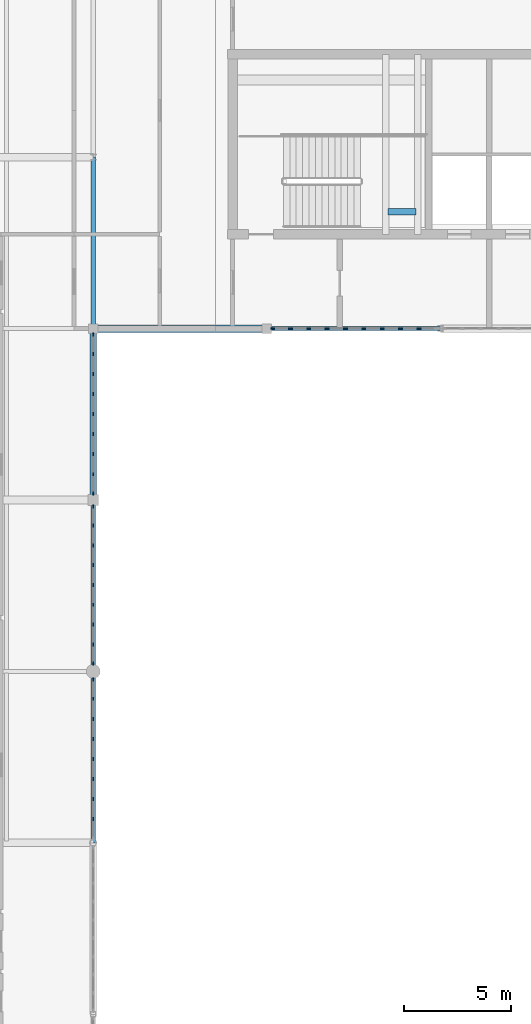
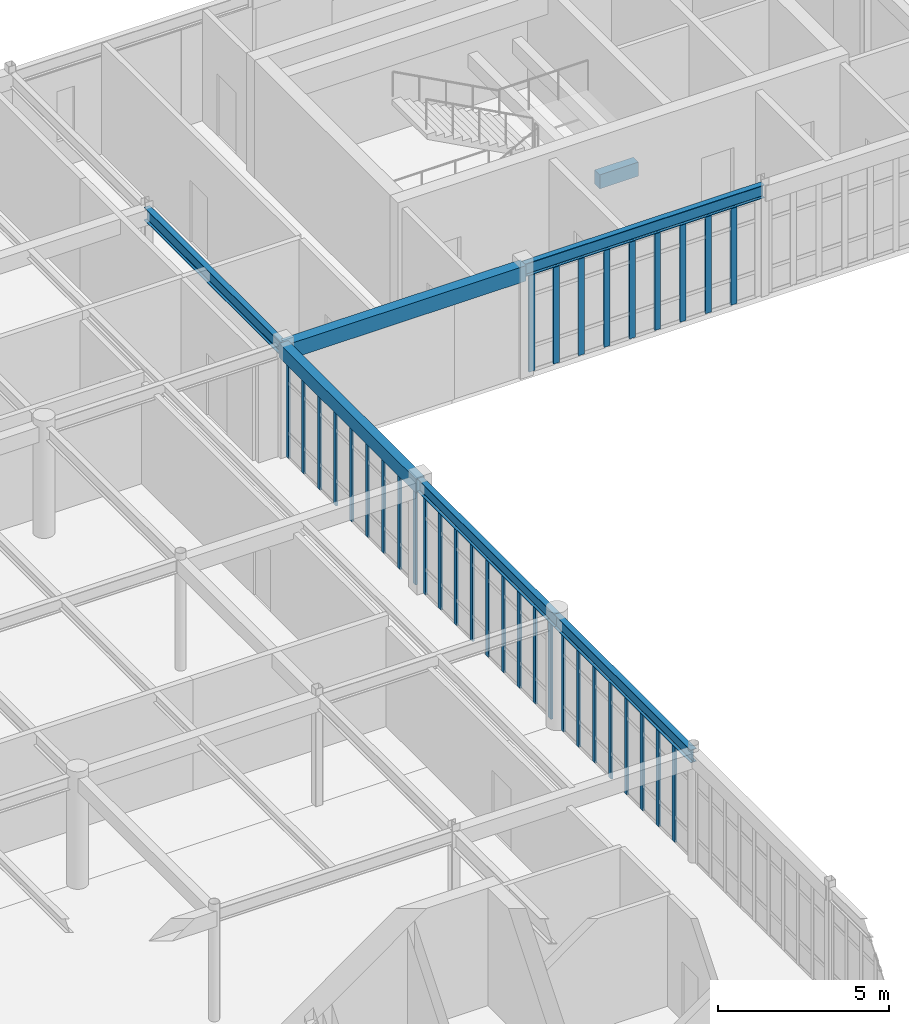
# One storey, part 10 of 36: 35 members, 7 beams, 4 elements without a shape of their own.
"""IFC4 building model written with IfcOpenShell, lengths in metres."""

import ifcopenshell
import ifcopenshell.guid

model = None  # the IFC model being written
_history = None  # IfcOwnerHistory: only IFC2X3 demands one
_inside = {}  # id of a spatial element -> (the spatial element, [elements in it])
_under = {}  # id of a project, library or spatial element -> (it, [spatial elements below it])
_declared = {}  # id of a project -> (the project, [libraries it declares])
_typed = {}  # id of a type object -> (the type object, [elements of that type])
_made_of = {}  # id of a material, layer set ... -> (it, [elements and type objects made of it])


def new_model(schema):
    """Start an empty IFC model of exactly this schema.

    Asked for "IFC4X3", IfcOpenShell would pick the latest addendum, in which some entities
    have other attributes; the version numbers below select the first issue.
    IFC2X3 requires an IfcOwnerHistory on every rooted entity: one is made here for all.
    """
    global model, _history
    if schema == "IFC4X3":
        model = ifcopenshell.file(schema_version=(4, 3, 0, 0))
    else:
        model = ifcopenshell.file(schema=schema)
    _inside.clear()
    _under.clear()
    _declared.clear()
    _typed.clear()
    _made_of.clear()
    _history = None
    if model.schema == "IFC2X3":
        org = make("IfcOrganization", Name="unknown")
        user = make(
            "IfcPersonAndOrganization",
            ThePerson=make("IfcPerson", FamilyName="unknown"),
            TheOrganization=org,
        )
        app = make(
            "IfcApplication",
            ApplicationDeveloper=org,
            Version="unknown",
            ApplicationFullName="unknown",
            ApplicationIdentifier="unknown",
        )
        _history = make(
            "IfcOwnerHistory",
            OwningUser=user,
            OwningApplication=app,
            ChangeAction="ADDED",
            CreationDate=0,
        )
    return model


def make(cls, **values):
    """One entity of the class cls with the attributes given. An attribute that is None is left unset."""
    return model.create_entity(
        cls, **{name: value for name, value in values.items() if value is not None}
    )


def rooted(cls, **values):
    """An entity with a GlobalId (a new one), such as an element, a storey or a relation."""
    return make(cls, GlobalId=ifcopenshell.guid.new(), OwnerHistory=_history, **values)


def si_unit(unit_type, name, prefix=None):
    """IfcSIUnit, for example si_unit("LENGTHUNIT", "METRE", prefix="MILLI")."""
    return make("IfcSIUnit", UnitType=unit_type, Prefix=prefix, Name=name)


def assignment(units):
    """IfcUnitAssignment: the units of a project."""
    return None if units is None else make("IfcUnitAssignment", Units=units)


def point(xyz):
    """IfcCartesianPoint."""
    return None if xyz is None else make("IfcCartesianPoint", Coordinates=xyz)


def direction(xyz):
    """IfcDirection."""
    return None if xyz is None else make("IfcDirection", DirectionRatios=xyz)


def frame(location, z_axis=None, x_axis=None):
    """IfcAxis2Placement3D, a coordinate frame: its origin and axes. An axis left out is left unset."""
    return make(
        "IfcAxis2Placement3D",
        Location=point(location),
        Axis=direction(z_axis),
        RefDirection=direction(x_axis),
    )


def frame_2d(location, x_axis=None):
    """IfcAxis2Placement2D, a coordinate frame in the plane: its origin and x axis."""
    return make(
        "IfcAxis2Placement2D", Location=point(location), RefDirection=direction(x_axis)
    )


def origin():
    """The frame at (0, 0, 0) with its axes left unset."""
    return frame((0.0, 0.0, 0.0))


def origin_2d():
    """The frame at (0, 0) in the plane with its x axis left unset."""
    return frame_2d((0.0, 0.0))


def place(relative_to, where):
    """IfcLocalPlacement: puts the frame where relative to a parent placement (None: the world)."""
    return make(
        "IfcLocalPlacement", PlacementRelTo=relative_to, RelativePlacement=where
    )


def context(
    kind, dimensions, precision=None, world=None, true_north=None, identifier=None
):
    """IfcGeometricRepresentationContext, for example the 3D "Model" context."""
    return make(
        "IfcGeometricRepresentationContext",
        ContextIdentifier=identifier,
        ContextType=kind,
        CoordinateSpaceDimension=dimensions,
        Precision=precision,
        WorldCoordinateSystem=world,
        TrueNorth=true_north,
    )


def subcontext(parent, identifier, kind, view, scale=None):
    """IfcGeometricRepresentationSubContext, for example "Body" below "Model"."""
    return make(
        "IfcGeometricRepresentationSubContext",
        ContextIdentifier=identifier,
        ContextType=kind,
        ParentContext=parent,
        TargetScale=scale,
        TargetView=view,
    )


def project(units=None, contexts=None):
    """IfcProject with its units and contexts."""
    return rooted(
        "IfcProject",
        Name="project",
        RepresentationContexts=contexts,
        UnitsInContext=assignment(units),
    )


def spatial(cls, under=None, at=None, **own):
    """A site, building, storey or space (cls), placed at a placement, below another one or the project."""
    s = rooted(cls, ObjectPlacement=at, **own)
    if under is not None:
        _under.setdefault(under.id(), (under, []))[1].append(s)
    return s


def profile(cls, at=None, kind="AREA", **sizes):
    """A parametric profile (cls). Its sizes go by their IFC names, for example OverallWidth=200.0."""
    return make(cls, ProfileType=kind, Position=at, **sizes)


def rectangle(**sizes):
    """IfcRectangleProfileDef."""
    return profile("IfcRectangleProfileDef", **sizes)


def i_section(**sizes):
    """IfcIShapeProfileDef."""
    return profile("IfcIShapeProfileDef", **sizes)


def extrude(swept, where, along, depth):
    """IfcExtrudedAreaSolid: the profile swept, set in the frame where, extruded along a direction by depth."""
    return make(
        "IfcExtrudedAreaSolid",
        SweptArea=swept,
        Position=where,
        ExtrudedDirection=direction(along),
        Depth=depth,
    )


def shape(context_of_items, identifier, shape_type, items):
    """IfcShapeRepresentation: the items that make up one representation, for example the "Body"."""
    return make(
        "IfcShapeRepresentation",
        ContextOfItems=context_of_items,
        RepresentationIdentifier=identifier,
        RepresentationType=shape_type,
        Items=items,
    )


def material(Name=None, Category=None):
    """IfcMaterial."""
    return make("IfcMaterial", Name=Name, Category=Category)


def material_profile(
    of_material, cross_section, Name=None, Category=None, Priority=None
):
    """IfcMaterialProfile: a cross section and its material."""
    return make(
        "IfcMaterialProfile",
        Name=Name,
        Material=of_material,
        Profile=cross_section,
        Priority=Priority,
        Category=Category,
    )


def profile_set(profiles, Name=None, composite=None):
    """IfcMaterialProfileSet."""
    return make(
        "IfcMaterialProfileSet",
        Name=Name,
        MaterialProfiles=profiles,
        CompositeProfile=composite,
    )


def made_of(thing, what):
    """Note that an element or type object is made of a material, layer set ...; save() writes the relation."""
    if what is not None:
        _made_of.setdefault(what.id(), (what, []))[1].append(thing)
    return thing


def type_object(cls, material=None, **own):
    """A type object (cls), such as IfcWallType, which elements share."""
    return made_of(rooted(cls, **own), material)


def element(
    cls,
    number,
    at=None,
    inside=None,
    cuts=None,
    type_object=None,
    material=None,
    context=None,
    identifier="Body",
    shape_type=None,
    held_by="IfcProductDefinitionShape",
    body=None,
    shapes=None,
    **own,
):
    """One element of the class cls, such as IfcWall. Its Tag is "e" and its number.

    at: its placement. inside: the storey or other place that contains it. cuts: it is an
    opening in that element (IfcRelVoidsElement). A single representation is given by context,
    identifier, shape_type and body (its items); several are given by shapes. held_by: the class
    of the entity that holds the representations. save() writes the other relations.
    """
    e = rooted(cls, Tag="e%d" % number, ObjectPlacement=at, **own)
    if body is not None:
        shapes = [shape(context, identifier, shape_type, body)]
    if shapes is not None:
        e.Representation = make(held_by, Representations=shapes)
    if inside is not None:
        _inside.setdefault(inside.id(), (inside, []))[1].append(e)
    if cuts is not None:
        rooted(
            "IfcRelVoidsElement", RelatingBuildingElement=cuts, RelatedOpeningElement=e
        )
    if type_object is not None:
        _typed.setdefault(type_object.id(), (type_object, []))[1].append(e)
    return made_of(e, material)


def aggregate(whole, parts):
    """IfcRelAggregates: a whole, such as a stair, and the parts it consists of."""
    return rooted("IfcRelAggregates", RelatingObject=whole, RelatedObjects=parts)


def save(model, path):
    """Write the relations noted so far, then the file.

    IfcRelAggregates (storeys below a building ...), IfcRelContainedInSpatialStructure (elements
    in a storey), IfcRelDefinesByType, IfcRelAssociatesMaterial and IfcRelDeclares: one each for
    every whole, place, type object, material and project.
    """
    for whole, parts in _under.values():
        aggregate(whole, parts)
    for where, things in _inside.values():
        rooted(
            "IfcRelContainedInSpatialStructure",
            RelatedElements=things,
            RelatingStructure=where,
        )
    for kind, things in _typed.values():
        rooted("IfcRelDefinesByType", RelatedObjects=things, RelatingType=kind)
    for what, things in _made_of.values():
        rooted("IfcRelAssociatesMaterial", RelatedObjects=things, RelatingMaterial=what)
    for by, libraries in _declared.values():
        rooted("IfcRelDeclares", RelatingContext=by, RelatedDefinitions=libraries)
    model.write(path)


model = new_model("IFC4")

# Units and contexts
model_context = context("Model", 3, precision=1e-05, world=origin(), true_north=direction((0.0, 1.0)))
body_context = subcontext(model_context, "Body", "Model", "MODEL_VIEW")
ifc_project = project(units=[si_unit("LENGTHUNIT", "METRE"), si_unit("AREAUNIT", "SQUARE_METRE"), si_unit("VOLUMEUNIT", "CUBIC_METRE"), si_unit("PLANEANGLEUNIT", "RADIAN"), si_unit("MASSUNIT", "GRAM", prefix="KILO")], contexts=[model_context])

# Site, building, storey
site_placement = place(None, origin())
site = spatial("IfcSite", under=ifc_project, at=site_placement, CompositionType="ELEMENT")
building_placement = place(site_placement, origin())
building = spatial("IfcBuilding", under=site, at=building_placement, Name="Tarnveldt Square Police Headquarters", CompositionType="ELEMENT")
storey_placement = place(building_placement, frame((0.0, 0.0, 24.89990234375)))
storey = spatial("IfcBuildingStorey", under=building, at=storey_placement, Name="L05", CompositionType="ELEMENT", Elevation=24.89990234375)

# Beams
ifc_material_1 = material(Name="Concrete 40 MPa", Category="concrete")
ifc_material_profile_1 = material_profile(ifc_material_1, rectangle(XDim=0.300048828125, YDim=0.5, at=origin_2d()), Name="RC-B300x500")
ifc_profile_set_1 = profile_set([ifc_material_profile_1], Name="Concrete 40 MPa")
beam_type_1 = type_object("IfcBeamType", Name="BM-RC300x500", PredefinedType="BEAM", material=ifc_profile_set_1)
beam_1_placement = place(storey_placement, frame((54.25, 101.449951171875, 1.650146484375), z_axis=(1.0, 0.0, 0.0), x_axis=(0.0, 1.0, 0.0)))
element("IfcBeam", 1, at=beam_1_placement, inside=storey, type_object=beam_type_1, Name="ST3 L05 Half-Landing Support Beam 2", PredefinedType="BEAM", context=body_context, shape_type="SweptSolid", body=[
    extrude(rectangle(XDim=0.300048828125, YDim=0.5, at=origin_2d()), origin(), (0.0, 0.0, 1.0), 1.300048828125),
])
beam_2_placement = place(storey_placement, frame((40.5, 88.0, 3.710205078125), z_axis=(0.0, 1.0, 0.0), x_axis=(-1.0, 0.0, 0.0)))
element("IfcBeam", 2, at=beam_2_placement, inside=storey, type_object=beam_type_1, Name="L06 Grid Girder Y-1069", PredefinedType="BEAM", context=body_context, shape_type="SweptSolid", body=[
    extrude(rectangle(XDim=0.300048828125, YDim=0.5, at=origin_2d()), origin(), (0.0, 0.0, 1.0), 8.0),
])
ifc_material_profile_2 = material_profile(ifc_material_1, rectangle(XDim=0.35009765625, YDim=0.550048828125, at=origin_2d()), Name="RC-B350x550")
ifc_profile_set_2 = profile_set([ifc_material_profile_2], Name="Concrete 40 MPa")
beam_type_2 = type_object("IfcBeamType", Name="BM-RC350x550", PredefinedType="BEAM", material=ifc_profile_set_2)
beam_3_placement = place(storey_placement, frame((40.5, 96.0, 3.68505859375), z_axis=(1.0, 0.0, 0.0), x_axis=(0.0, 1.0, 0.0)))
element("IfcBeam", 3, at=beam_3_placement, inside=storey, type_object=beam_type_2, Name="L06 Grid Girder X-1026", PredefinedType="BEAM", context=body_context, shape_type="SweptSolid", body=[
    extrude(rectangle(XDim=0.35009765625, YDim=0.550048828125, at=origin_2d()), origin(), (0.0, 0.0, 1.0), 8.10009765625),
])
ifc_material_2 = material(Name="Steel 350W", Category="steel")
ifc_material_profile_3 = material_profile(ifc_material_2, i_section(OverallWidth=0.19189453125, OverallDepth=0.462890625, WebThickness=0.010498046875, FlangeThickness=0.017578125, FilletRadius=0.01806640625, at=origin_2d()), Name="W460x89")
ifc_profile_set_3 = profile_set([ifc_material_profile_3], Name="Steel 350W")
beam_type_3 = type_object("IfcBeamType", Name="BM-W460x89", PredefinedType="BEAM", material=ifc_profile_set_3)
beam_4_placement = place(storey_placement, frame((48.60009765625, 96.0, 3.728515625), z_axis=(1.0, 0.0, 0.0), x_axis=(0.0, 1.0, 0.0)))
element("IfcBeam", 4, at=beam_4_placement, inside=storey, type_object=beam_type_3, Name="L06 Grid Girder X-1027", PredefinedType="BEAM", context=body_context, shape_type="SweptSolid", body=[
    extrude(i_section(OverallWidth=0.19189453125, OverallDepth=0.462890625, WebThickness=0.010498046875, FlangeThickness=0.017578125, FilletRadius=0.01806640625, at=origin_2d()), origin(), (0.0, 0.0, 1.0), 8.099853515625),
])
for number, where, z_axis, x_axis, name in (
    (5, (40.5, 72.0, 3.728515625), (0.0, 1.0, 0.0), (-1.0, 0.0, 0.0), "L06 Grid Girder Y-1067"),
    (6, (40.5, 80.0, 3.728515625), (0.0, 1.0, 0.0), (-1.0, 0.0, 0.0), "L06 Grid Girder Y-1068"),
    (7, (40.5, 96.0, 3.728515625), (0.0, 1.0, 0.0), (-1.0, 0.0, 0.0), "L06 Grid Girder Y-1070"),
):
    element("IfcBeam", number, at=place(storey_placement, frame(where, z_axis=z_axis, x_axis=x_axis)), inside=storey, type_object=beam_type_3, Name=name, PredefinedType="BEAM", context=body_context, shape_type="SweptSolid", body=[
        extrude(i_section(OverallWidth=0.19189453125, OverallDepth=0.462890625, WebThickness=0.010498046875, FlangeThickness=0.017578125, FilletRadius=0.01806640625, at=origin_2d()), origin(), (0.0, 0.0, 1.0), 8.0),
    ])

# Curtain wall, members
ifc_material_3 = material(Name="Triple-glazed low-e laminated vision glass", Category="glass")
curtain_wall_type_1 = type_object("IfcCurtainWallType", Name="CW-UP-748x349", PredefinedType="USERDEFINED", material=ifc_material_3)
curtain_wall_1_placement = place(storey_placement, origin())
curtain_wall_1 = element("IfcCurtainWall", 8, at=curtain_wall_1_placement, inside=storey, type_object=curtain_wall_type_1, Name="L05 Curtain Wall CW-L05-086", ObjectType="GLAZED CURTAIN WALL", PredefinedType="USERDEFINED")
ifc_material_4 = material(Name="Thermally broken anodised aluminium 6063-T6", Category="aluminium")
ifc_material_profile_4 = material_profile(ifc_material_4, rectangle(XDim=0.06494140625, YDim=0.159912109375, at=origin_2d()), Name="CW-M65x160")
ifc_profile_set_4 = profile_set([ifc_material_profile_4], Name="Thermally broken anodised aluminium 6063-T6")
member_type_1 = type_object("IfcMemberType", Name="CWM-65x160", PredefinedType="MULLION", material=ifc_profile_set_4)
member_1_placement = place(storey_placement, frame((40.5, 73.1123046875, 0.0), z_axis=(0.0, 0.0, 1.0), x_axis=(-1.0, 0.0, 0.0)))
member_1 = element("IfcMember", 9, at=member_1_placement, type_object=member_type_1, Name="CW-UP44 mullion 2", PredefinedType="MULLION", context=body_context, shape_type="SweptSolid", body=[
    extrude(rectangle(XDim=0.06494140625, YDim=0.159912109375, at=origin_2d()), origin(), (0.0, 0.0, 1.0), 3.489013671875),
])
member_2_placement = place(storey_placement, frame((40.5, 74.0478515625, 0.0), z_axis=(0.0, 0.0, 1.0), x_axis=(-1.0, 0.0, 0.0)))
member_2 = element("IfcMember", 10, at=member_2_placement, type_object=member_type_1, Name="CW-UP44 mullion 3", PredefinedType="MULLION", context=body_context, shape_type="SweptSolid", body=[
    extrude(rectangle(XDim=0.06494140625, YDim=0.159912109375, at=origin_2d()), origin(), (0.0, 0.0, 1.0), 3.489013671875),
])
member_3_placement = place(storey_placement, frame((40.5, 74.983154296875, 0.0), z_axis=(0.0, 0.0, 1.0), x_axis=(-1.0, 0.0, 0.0)))
member_3 = element("IfcMember", 11, at=member_3_placement, type_object=member_type_1, Name="CW-UP44 mullion 4", PredefinedType="MULLION", context=body_context, shape_type="SweptSolid", body=[
    extrude(rectangle(XDim=0.06494140625, YDim=0.159912109375, at=origin_2d()), origin(), (0.0, 0.0, 1.0), 3.489013671875),
])
member_4_placement = place(storey_placement, frame((40.5, 75.91845703125, 0.0), z_axis=(0.0, 0.0, 1.0), x_axis=(-1.0, 0.0, 0.0)))
member_4 = element("IfcMember", 12, at=member_4_placement, type_object=member_type_1, Name="CW-UP44 mullion 5", PredefinedType="MULLION", context=body_context, shape_type="SweptSolid", body=[
    extrude(rectangle(XDim=0.06494140625, YDim=0.159912109375, at=origin_2d()), origin(), (0.0, 0.0, 1.0), 3.489013671875),
])
member_5_placement = place(storey_placement, frame((40.5, 76.853759765625, 0.0), z_axis=(0.0, 0.0, 1.0), x_axis=(-1.0, 0.0, 0.0)))
member_5 = element("IfcMember", 13, at=member_5_placement, type_object=member_type_1, Name="CW-UP44 mullion 6", PredefinedType="MULLION", context=body_context, shape_type="SweptSolid", body=[
    extrude(rectangle(XDim=0.06494140625, YDim=0.159912109375, at=origin_2d()), origin(), (0.0, 0.0, 1.0), 3.489013671875),
])
member_6_placement = place(storey_placement, frame((40.5, 77.789306640625, 0.0), z_axis=(0.0, 0.0, 1.0), x_axis=(-1.0, 0.0, 0.0)))
member_6 = element("IfcMember", 14, at=member_6_placement, type_object=member_type_1, Name="CW-UP44 mullion 7", PredefinedType="MULLION", context=body_context, shape_type="SweptSolid", body=[
    extrude(rectangle(XDim=0.06494140625, YDim=0.159912109375, at=origin_2d()), origin(), (0.0, 0.0, 1.0), 3.489013671875),
])
member_7_placement = place(storey_placement, frame((40.5, 78.724609375, 0.0), z_axis=(0.0, 0.0, 1.0), x_axis=(-1.0, 0.0, 0.0)))
member_7 = element("IfcMember", 15, at=member_7_placement, type_object=member_type_1, Name="CW-UP44 mullion 8", PredefinedType="MULLION", context=body_context, shape_type="SweptSolid", body=[
    extrude(rectangle(XDim=0.06494140625, YDim=0.159912109375, at=origin_2d()), origin(), (0.0, 0.0, 1.0), 3.489013671875),
])
member_8_placement = place(storey_placement, frame((40.5, 79.62744140625, 0.0), z_axis=(0.0, 0.0, 1.0), x_axis=(-1.0, 0.0, 0.0)))
member_8 = element("IfcMember", 16, at=member_8_placement, type_object=member_type_1, Name="CW-UP44 mullion 9", PredefinedType="MULLION", context=body_context, shape_type="SweptSolid", body=[
    extrude(rectangle(XDim=0.06494140625, YDim=0.159912109375, at=origin_2d()), origin(), (0.0, 0.0, 1.0), 3.489013671875),
])
aggregate(curtain_wall_1, [member_1, member_2, member_3, member_4, member_5, member_6, member_7, member_8])

curtain_wall_type_2 = type_object("IfcCurtainWallType", Name="CW-UP-739x349", PredefinedType="USERDEFINED", material=ifc_material_3)
curtain_wall_2_placement = place(storey_placement, origin())
curtain_wall_2 = element("IfcCurtainWall", 17, at=curtain_wall_2_placement, inside=storey, type_object=curtain_wall_type_2, Name="L05 Curtain Wall CW-L05-087", ObjectType="GLAZED CURTAIN WALL", PredefinedType="USERDEFINED")
member_9_placement = place(storey_placement, frame((40.5, 80.37255859375, 0.0), z_axis=(0.0, 0.0, 1.0), x_axis=(-1.0, 0.0, 0.0)))
member_9 = element("IfcMember", 18, at=member_9_placement, type_object=member_type_1, Name="CW-UP45 mullion 1", PredefinedType="MULLION", context=body_context, shape_type="SweptSolid", body=[
    extrude(rectangle(XDim=0.06494140625, YDim=0.159912109375, at=origin_2d()), origin(), (0.0, 0.0, 1.0), 3.489013671875),
])
member_10_placement = place(storey_placement, frame((40.5, 81.264404296875, 0.0), z_axis=(0.0, 0.0, 1.0), x_axis=(-1.0, 0.0, 0.0)))
member_10 = element("IfcMember", 19, at=member_10_placement, type_object=member_type_1, Name="CW-UP45 mullion 2", PredefinedType="MULLION", context=body_context, shape_type="SweptSolid", body=[
    extrude(rectangle(XDim=0.06494140625, YDim=0.159912109375, at=origin_2d()), origin(), (0.0, 0.0, 1.0), 3.489013671875),
])
member_11_placement = place(storey_placement, frame((40.5, 82.188720703125, 0.0), z_axis=(0.0, 0.0, 1.0), x_axis=(-1.0, 0.0, 0.0)))
member_11 = element("IfcMember", 20, at=member_11_placement, type_object=member_type_1, Name="CW-UP45 mullion 3", PredefinedType="MULLION", context=body_context, shape_type="SweptSolid", body=[
    extrude(rectangle(XDim=0.06494140625, YDim=0.159912109375, at=origin_2d()), origin(), (0.0, 0.0, 1.0), 3.489013671875),
])
member_12_placement = place(storey_placement, frame((40.5, 83.113037109375, 0.0), z_axis=(0.0, 0.0, 1.0), x_axis=(-1.0, 0.0, 0.0)))
member_12 = element("IfcMember", 21, at=member_12_placement, type_object=member_type_1, Name="CW-UP45 mullion 4", PredefinedType="MULLION", context=body_context, shape_type="SweptSolid", body=[
    extrude(rectangle(XDim=0.06494140625, YDim=0.159912109375, at=origin_2d()), origin(), (0.0, 0.0, 1.0), 3.489013671875),
])
member_13_placement = place(storey_placement, frame((40.5, 84.03759765625, 0.0), z_axis=(0.0, 0.0, 1.0), x_axis=(-1.0, 0.0, 0.0)))
member_13 = element("IfcMember", 22, at=member_13_placement, type_object=member_type_1, Name="CW-UP45 mullion 5", PredefinedType="MULLION", context=body_context, shape_type="SweptSolid", body=[
    extrude(rectangle(XDim=0.06494140625, YDim=0.159912109375, at=origin_2d()), origin(), (0.0, 0.0, 1.0), 3.489013671875),
])
member_14_placement = place(storey_placement, frame((40.5, 84.9619140625, 0.0), z_axis=(0.0, 0.0, 1.0), x_axis=(-1.0, 0.0, 0.0)))
member_14 = element("IfcMember", 23, at=member_14_placement, type_object=member_type_1, Name="CW-UP45 mullion 6", PredefinedType="MULLION", context=body_context, shape_type="SweptSolid", body=[
    extrude(rectangle(XDim=0.06494140625, YDim=0.159912109375, at=origin_2d()), origin(), (0.0, 0.0, 1.0), 3.489013671875),
])
member_15_placement = place(storey_placement, frame((40.5, 85.88623046875, 0.0), z_axis=(0.0, 0.0, 1.0), x_axis=(-1.0, 0.0, 0.0)))
member_15 = element("IfcMember", 24, at=member_15_placement, type_object=member_type_1, Name="CW-UP45 mullion 7", PredefinedType="MULLION", context=body_context, shape_type="SweptSolid", body=[
    extrude(rectangle(XDim=0.06494140625, YDim=0.159912109375, at=origin_2d()), origin(), (0.0, 0.0, 1.0), 3.489013671875),
])
member_16_placement = place(storey_placement, frame((40.5, 86.810546875, 0.0), z_axis=(0.0, 0.0, 1.0), x_axis=(-1.0, 0.0, 0.0)))
member_16 = element("IfcMember", 25, at=member_16_placement, type_object=member_type_1, Name="CW-UP45 mullion 8", PredefinedType="MULLION", context=body_context, shape_type="SweptSolid", body=[
    extrude(rectangle(XDim=0.06494140625, YDim=0.159912109375, at=origin_2d()), origin(), (0.0, 0.0, 1.0), 3.489013671875),
])
member_17_placement = place(storey_placement, frame((40.5, 87.702392578125, 0.0), z_axis=(0.0, 0.0, 1.0), x_axis=(-1.0, 0.0, 0.0)))
member_17 = element("IfcMember", 26, at=member_17_placement, type_object=member_type_1, Name="CW-UP45 mullion 9", PredefinedType="MULLION", context=body_context, shape_type="SweptSolid", body=[
    extrude(rectangle(XDim=0.06494140625, YDim=0.159912109375, at=origin_2d()), origin(), (0.0, 0.0, 1.0), 3.489013671875),
])
aggregate(curtain_wall_2, [member_9, member_10, member_11, member_12, member_13, member_14, member_15, member_16, member_17])

curtain_wall_type_3 = type_object("IfcCurtainWallType", Name="CW-UP-750x345", PredefinedType="USERDEFINED", material=ifc_material_3)
curtain_wall_3_placement = place(storey_placement, origin())
curtain_wall_3 = element("IfcCurtainWall", 27, at=curtain_wall_3_placement, inside=storey, type_object=curtain_wall_type_3, Name="L05 Curtain Wall CW-L05-088", ObjectType="GLAZED CURTAIN WALL", PredefinedType="USERDEFINED")
member_18_placement = place(storey_placement, frame((40.5, 88.297607421875, 0.0), z_axis=(0.0, 0.0, 1.0), x_axis=(-1.0, 0.0, 0.0)))
member_18 = element("IfcMember", 28, at=member_18_placement, type_object=member_type_1, Name="CW-UP46 mullion 1", PredefinedType="MULLION", context=body_context, shape_type="SweptSolid", body=[
    extrude(rectangle(XDim=0.06494140625, YDim=0.159912109375, at=origin_2d()), origin(), (0.0, 0.0, 1.0), 3.4521484375),
])
member_19_placement = place(storey_placement, frame((40.5, 89.201904296875, 0.0), z_axis=(0.0, 0.0, 1.0), x_axis=(-1.0, 0.0, 0.0)))
member_19 = element("IfcMember", 29, at=member_19_placement, type_object=member_type_1, Name="CW-UP46 mullion 2", PredefinedType="MULLION", context=body_context, shape_type="SweptSolid", body=[
    extrude(rectangle(XDim=0.06494140625, YDim=0.159912109375, at=origin_2d()), origin(), (0.0, 0.0, 1.0), 3.4521484375),
])
member_20_placement = place(storey_placement, frame((40.5, 90.138671875, 0.0), z_axis=(0.0, 0.0, 1.0), x_axis=(-1.0, 0.0, 0.0)))
member_20 = element("IfcMember", 30, at=member_20_placement, type_object=member_type_1, Name="CW-UP46 mullion 3", PredefinedType="MULLION", context=body_context, shape_type="SweptSolid", body=[
    extrude(rectangle(XDim=0.06494140625, YDim=0.159912109375, at=origin_2d()), origin(), (0.0, 0.0, 1.0), 3.4521484375),
])
member_21_placement = place(storey_placement, frame((40.5, 91.07568359375, 0.0), z_axis=(0.0, 0.0, 1.0), x_axis=(-1.0, 0.0, 0.0)))
member_21 = element("IfcMember", 31, at=member_21_placement, type_object=member_type_1, Name="CW-UP46 mullion 4", PredefinedType="MULLION", context=body_context, shape_type="SweptSolid", body=[
    extrude(rectangle(XDim=0.06494140625, YDim=0.159912109375, at=origin_2d()), origin(), (0.0, 0.0, 1.0), 3.4521484375),
])
member_22_placement = place(storey_placement, frame((40.5, 92.012451171875, 0.0), z_axis=(0.0, 0.0, 1.0), x_axis=(-1.0, 0.0, 0.0)))
member_22 = element("IfcMember", 32, at=member_22_placement, type_object=member_type_1, Name="CW-UP46 mullion 5", PredefinedType="MULLION", context=body_context, shape_type="SweptSolid", body=[
    extrude(rectangle(XDim=0.06494140625, YDim=0.159912109375, at=origin_2d()), origin(), (0.0, 0.0, 1.0), 3.4521484375),
])
member_23_placement = place(storey_placement, frame((40.5, 92.949462890625, 0.0), z_axis=(0.0, 0.0, 1.0), x_axis=(-1.0, 0.0, 0.0)))
member_23 = element("IfcMember", 33, at=member_23_placement, type_object=member_type_1, Name="CW-UP46 mullion 6", PredefinedType="MULLION", context=body_context, shape_type="SweptSolid", body=[
    extrude(rectangle(XDim=0.06494140625, YDim=0.159912109375, at=origin_2d()), origin(), (0.0, 0.0, 1.0), 3.4521484375),
])
member_24_placement = place(storey_placement, frame((40.5, 93.88623046875, 0.0), z_axis=(0.0, 0.0, 1.0), x_axis=(-1.0, 0.0, 0.0)))
member_24 = element("IfcMember", 34, at=member_24_placement, type_object=member_type_1, Name="CW-UP46 mullion 7", PredefinedType="MULLION", context=body_context, shape_type="SweptSolid", body=[
    extrude(rectangle(XDim=0.06494140625, YDim=0.159912109375, at=origin_2d()), origin(), (0.0, 0.0, 1.0), 3.4521484375),
])
member_25_placement = place(storey_placement, frame((40.5, 94.8232421875, 0.0), z_axis=(0.0, 0.0, 1.0), x_axis=(-1.0, 0.0, 0.0)))
member_25 = element("IfcMember", 35, at=member_25_placement, type_object=member_type_1, Name="CW-UP46 mullion 8", PredefinedType="MULLION", context=body_context, shape_type="SweptSolid", body=[
    extrude(rectangle(XDim=0.06494140625, YDim=0.159912109375, at=origin_2d()), origin(), (0.0, 0.0, 1.0), 3.4521484375),
])
member_26_placement = place(storey_placement, frame((40.5, 95.7275390625, 0.0), z_axis=(0.0, 0.0, 1.0), x_axis=(-1.0, 0.0, 0.0)))
member_26 = element("IfcMember", 36, at=member_26_placement, type_object=member_type_1, Name="CW-UP46 mullion 9", PredefinedType="MULLION", context=body_context, shape_type="SweptSolid", body=[
    extrude(rectangle(XDim=0.06494140625, YDim=0.159912109375, at=origin_2d()), origin(), (0.0, 0.0, 1.0), 3.4521484375),
])
aggregate(curtain_wall_3, [member_18, member_19, member_20, member_21, member_22, member_23, member_24, member_25, member_26])

curtain_wall_type_4 = type_object("IfcCurtainWallType", Name="CW-LB-771x349", PredefinedType="USERDEFINED", material=ifc_material_3)
curtain_wall_4_placement = place(storey_placement, origin())
curtain_wall_4 = element("IfcCurtainWall", 37, at=curtain_wall_4_placement, inside=storey, type_object=curtain_wall_type_4, Name="L05 Curtain Wall CW-L05-133", ObjectType="GLAZED CURTAIN WALL", PredefinedType="USERDEFINED")
ifc_material_profile_5 = material_profile(ifc_material_4, rectangle(XDim=0.074951171875, YDim=0.199951171875, at=origin_2d()), Name="CW-M75x200")
ifc_profile_set_5 = profile_set([ifc_material_profile_5], Name="Thermally broken anodised aluminium 6063-T6")
member_type_2 = type_object("IfcMemberType", Name="CWM-75x200", PredefinedType="MULLION", material=ifc_profile_set_5)
member_27_placement = place(storey_placement, frame((48.87744140625, 96.0, 0.0), z_axis=(0.0, 0.0, 1.0), x_axis=(0.0, 1.0, 0.0)))
member_27 = element("IfcMember", 38, at=member_27_placement, type_object=member_type_2, Name="CW-LB80 mullion 1", PredefinedType="MULLION", context=body_context, shape_type="SweptSolid", body=[
    extrude(rectangle(XDim=0.074951171875, YDim=0.199951171875, at=origin_2d()), origin(), (0.0, 0.0, 1.0), 3.489013671875),
])
member_28_placement = place(storey_placement, frame((49.697265625, 96.0, 0.0), z_axis=(0.0, 0.0, 1.0), x_axis=(0.0, 1.0, 0.0)))
member_28 = element("IfcMember", 39, at=member_28_placement, type_object=member_type_2, Name="CW-LB80 mullion 2", PredefinedType="MULLION", context=body_context, shape_type="SweptSolid", body=[
    extrude(rectangle(XDim=0.074951171875, YDim=0.199951171875, at=origin_2d()), origin(), (0.0, 0.0, 1.0), 3.489013671875),
])
member_29_placement = place(storey_placement, frame((50.554443359375, 96.0, 0.0), z_axis=(0.0, 0.0, 1.0), x_axis=(0.0, 1.0, 0.0)))
member_29 = element("IfcMember", 40, at=member_29_placement, type_object=member_type_2, Name="CW-LB80 mullion 3", PredefinedType="MULLION", context=body_context, shape_type="SweptSolid", body=[
    extrude(rectangle(XDim=0.074951171875, YDim=0.199951171875, at=origin_2d()), origin(), (0.0, 0.0, 1.0), 3.489013671875),
])
member_30_placement = place(storey_placement, frame((51.41162109375, 96.0, 0.0), z_axis=(0.0, 0.0, 1.0), x_axis=(0.0, 1.0, 0.0)))
member_30 = element("IfcMember", 41, at=member_30_placement, type_object=member_type_2, Name="CW-LB80 mullion 4", PredefinedType="MULLION", context=body_context, shape_type="SweptSolid", body=[
    extrude(rectangle(XDim=0.074951171875, YDim=0.199951171875, at=origin_2d()), origin(), (0.0, 0.0, 1.0), 3.489013671875),
])
member_31_placement = place(storey_placement, frame((52.268798828125, 96.0, 0.0), z_axis=(0.0, 0.0, 1.0), x_axis=(0.0, 1.0, 0.0)))
member_31 = element("IfcMember", 42, at=member_31_placement, type_object=member_type_2, Name="CW-LB80 mullion 5", PredefinedType="MULLION", context=body_context, shape_type="SweptSolid", body=[
    extrude(rectangle(XDim=0.074951171875, YDim=0.199951171875, at=origin_2d()), origin(), (0.0, 0.0, 1.0), 3.489013671875),
])
member_32_placement = place(storey_placement, frame((53.126220703125, 96.0, 0.0), z_axis=(0.0, 0.0, 1.0), x_axis=(0.0, 1.0, 0.0)))
member_32 = element("IfcMember", 43, at=member_32_placement, type_object=member_type_2, Name="CW-LB80 mullion 6", PredefinedType="MULLION", context=body_context, shape_type="SweptSolid", body=[
    extrude(rectangle(XDim=0.074951171875, YDim=0.199951171875, at=origin_2d()), origin(), (0.0, 0.0, 1.0), 3.489013671875),
])
member_33_placement = place(storey_placement, frame((53.9833984375, 96.0, 0.0), z_axis=(0.0, 0.0, 1.0), x_axis=(0.0, 1.0, 0.0)))
member_33 = element("IfcMember", 44, at=member_33_placement, type_object=member_type_2, Name="CW-LB80 mullion 7", PredefinedType="MULLION", context=body_context, shape_type="SweptSolid", body=[
    extrude(rectangle(XDim=0.074951171875, YDim=0.199951171875, at=origin_2d()), origin(), (0.0, 0.0, 1.0), 3.489013671875),
])
member_34_placement = place(storey_placement, frame((54.840576171875, 96.0, 0.0), z_axis=(0.0, 0.0, 1.0), x_axis=(0.0, 1.0, 0.0)))
member_34 = element("IfcMember", 45, at=member_34_placement, type_object=member_type_2, Name="CW-LB80 mullion 8", PredefinedType="MULLION", context=body_context, shape_type="SweptSolid", body=[
    extrude(rectangle(XDim=0.074951171875, YDim=0.199951171875, at=origin_2d()), origin(), (0.0, 0.0, 1.0), 3.489013671875),
])
member_35_placement = place(storey_placement, frame((55.69775390625, 96.0, 0.0), z_axis=(0.0, 0.0, 1.0), x_axis=(0.0, 1.0, 0.0)))
member_35 = element("IfcMember", 46, at=member_35_placement, type_object=member_type_2, Name="CW-LB80 mullion 9", PredefinedType="MULLION", context=body_context, shape_type="SweptSolid", body=[
    extrude(rectangle(XDim=0.074951171875, YDim=0.199951171875, at=origin_2d()), origin(), (0.0, 0.0, 1.0), 3.489013671875),
])
aggregate(curtain_wall_4, [member_27, member_28, member_29, member_30, member_31, member_32, member_33, member_34, member_35])

save(model, "model.ifc")
